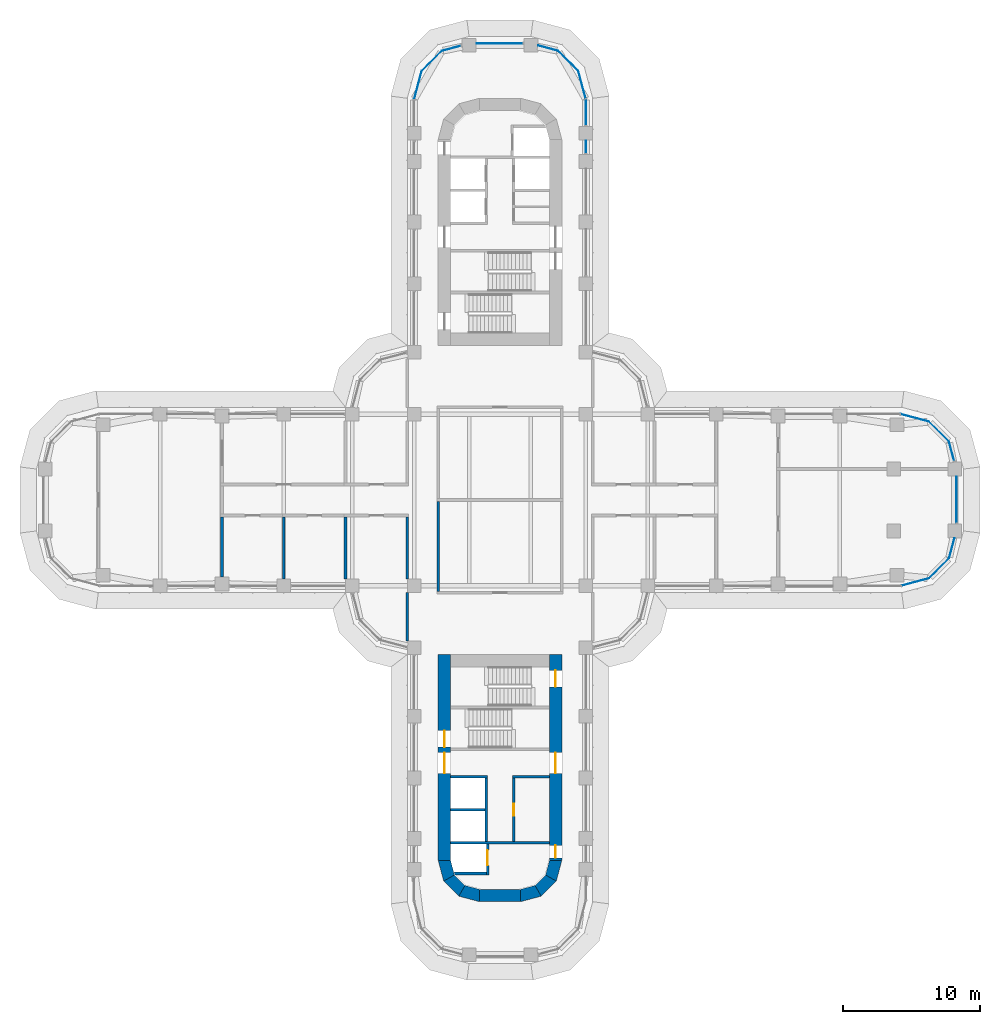
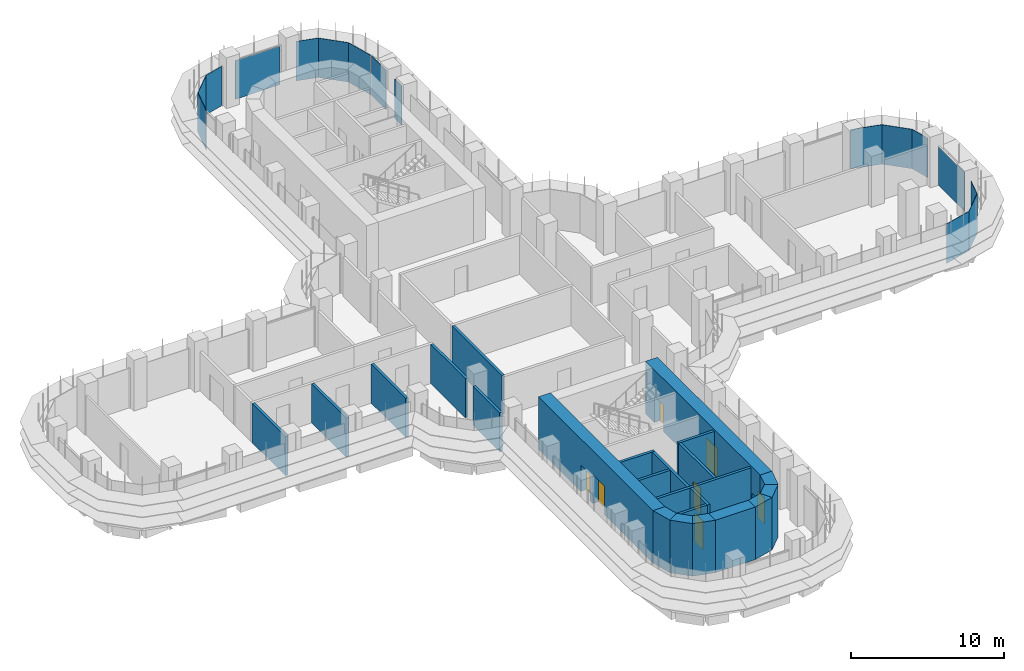
# One storey, part 16 of 23: 23 walls, 16 plates, 7 doors, 7 openings, 15 elements without a shape of their own.
"""IFC4 building model written with IfcOpenShell, lengths in metres."""

from ifc_helpers import new_model, si_unit, direction, frame, frame_2d, origin, place, context, subcontext, project, spatial, polyline, rectangle, outline, extrude, source, transform, mapped, material, layer, layer_set, type_object, element, fill, aggregate, save


model = new_model("IFC4")

# Units and contexts
model_context = context("Model", 3, precision=1e-05, world=origin(), true_north=direction((0.0, 1.0)))
body_context = subcontext(model_context, "Body", "Model", "MODEL_VIEW")
ifc_project = project(units=[si_unit("LENGTHUNIT", "METRE"), si_unit("AREAUNIT", "SQUARE_METRE"), si_unit("VOLUMEUNIT", "CUBIC_METRE"), si_unit("PLANEANGLEUNIT", "RADIAN"), si_unit("MASSUNIT", "GRAM", prefix="KILO")], contexts=[model_context])

# Site, building, storey
site_placement = place(None, origin())
site = spatial("IfcSite", under=ifc_project, at=site_placement, CompositionType="ELEMENT")
building_placement = place(site_placement, origin())
building = spatial("IfcBuilding", under=site, at=building_placement, Name="Zarbagh Exchange Tower", CompositionType="ELEMENT")
storey_placement = place(building_placement, frame((0.0, 0.0, 48.0)))
storey = spatial("IfcBuildingStorey", under=building, at=storey_placement, Name="L10", CompositionType="ELEMENT", Elevation=48.0)

# Curtain wall, plate
ifc_material_1 = material(Name="Anodised aluminium frame and glazing", Category="aluminium")
curtain_wall_type = type_object("IfcCurtainWallType", Name="CWA Ribbon glazing, lower zones", PredefinedType="NOTDEFINED", material=ifc_material_1)
curtain_wall_1_placement = place(storey_placement, origin())
curtain_wall_1 = element("IfcCurtainWall", 1, at=curtain_wall_1_placement, inside=storey, type_object=curtain_wall_type, Name="CWA13 curtain wall", PredefinedType="NOTDEFINED")
ifc_material_2 = material(Name="Low-e double glazed unit, 6+12+6 mm")
ifc_layer_1 = layer(ifc_material_2, 0.028076171875)
ifc_layer_set_1 = layer_set([ifc_layer_1], Name="PAA Glazing panel, Low-e double glazed unit, 6+12+6 mm")
plate_type = type_object("IfcPlateType", Name="PAA Glazing panel, Low-e double glazed unit, 6+12+6 mm", PredefinedType="CURTAIN_PANEL", material=ifc_layer_set_1)
shared_shape_1 = source(origin(), body_context, "Body", "SweptSolid", [
    extrude(outline(polyline([(0.0, -0.013916015625), (1.4423828125, -0.013916015625), (1.4423828125, 0.013916015625), (0.0, 0.013916015625), (0.0, -0.013916015625)])), origin(), (0.0, 0.0, 1.0), 3.14990234375),
])
placement = place(storey_placement, origin())
plate_1 = element("IfcPlate", 2, at=placement, type_object=plate_type, Name="CWA13 glazing panel 1.1", PredefinedType="CURTAIN_PANEL", context=body_context, shape_type="MappedRepresentation", body=[
    mapped(shared_shape_1, transform((33.072021484375, 2.847900390625, 0.0), x_axis=(-0.258824779902, 0.965924289636, 0.0), y_axis=(-0.965924289636, -0.258824779902, 0.0), z_axis=(0.0, 0.0, 1.0))),
])
aggregate(curtain_wall_1, [plate_1])

curtain_wall_2_placement = place(storey_placement, origin())
curtain_wall_2 = element("IfcCurtainWall", 3, at=curtain_wall_2_placement, inside=storey, type_object=curtain_wall_type, Name="CWA25 curtain wall", PredefinedType="NOTDEFINED")
plate_2 = element("IfcPlate", 4, at=placement, type_object=plate_type, Name="CWA25 glazing panel 1.1", PredefinedType="CURTAIN_PANEL", context=body_context, shape_type="MappedRepresentation", body=[
    mapped(shared_shape_1, transform((-2.847900390625, 33.072021484375, 0.0), x_axis=(-0.965924289636, -0.258824779902, 0.0), y_axis=(0.258824779902, -0.965924289636, 0.0), z_axis=(0.0, 0.0, 1.0))),
])
aggregate(curtain_wall_2, [plate_2])

curtain_wall_3_placement = place(storey_placement, origin())
curtain_wall_3 = element("IfcCurtainWall", 5, at=curtain_wall_3_placement, inside=storey, type_object=curtain_wall_type, Name="CWA10 curtain wall", PredefinedType="NOTDEFINED")
shared_shape_2 = source(origin(), body_context, "Body", "SweptSolid", [
    extrude(outline(polyline([(0.0, -0.013916015625), (2.061279296875, -0.013916015625), (2.061279296875, 0.013916015625), (0.0, 0.013916015625), (0.0, -0.013916015625)])), origin(), (0.0, 0.0, 1.0), 3.14990234375),
])
plate_3 = element("IfcPlate", 6, at=placement, type_object=plate_type, Name="CWA10 glazing panel 1.1", PredefinedType="CURTAIN_PANEL", context=body_context, shape_type="MappedRepresentation", body=[
    mapped(shared_shape_2, transform((31.2412109375, -5.69873046875, 0.0), x_axis=(0.707106781187, 0.707106781187, 0.0), y_axis=(-0.707106781187, 0.707106781187, 0.0), z_axis=(0.0, 0.0, 1.0))),
])
aggregate(curtain_wall_3, [plate_3])

curtain_wall_4_placement = place(storey_placement, origin())
curtain_wall_4 = element("IfcCurtainWall", 7, at=curtain_wall_4_placement, inside=storey, type_object=curtain_wall_type, Name="CWA14 curtain wall", PredefinedType="NOTDEFINED")
plate_4 = element("IfcPlate", 8, at=placement, type_object=plate_type, Name="CWA14 glazing panel 1.1", PredefinedType="CURTAIN_PANEL", context=body_context, shape_type="MappedRepresentation", body=[
    mapped(shared_shape_2, transform((32.69873046875, 4.2412109375, 0.0), x_axis=(-0.707106781187, 0.707106781187, 0.0), y_axis=(-0.707106781187, -0.707106781187, 0.0), z_axis=(0.0, 0.0, 1.0))),
])
aggregate(curtain_wall_4, [plate_4])

curtain_wall_5_placement = place(storey_placement, origin())
curtain_wall_5 = element("IfcCurtainWall", 9, at=curtain_wall_5_placement, inside=storey, type_object=curtain_wall_type, Name="CWA22 curtain wall", PredefinedType="NOTDEFINED")
plate_5 = element("IfcPlate", 10, at=placement, type_object=plate_type, Name="CWA22 glazing panel 1.1", PredefinedType="CURTAIN_PANEL", context=body_context, shape_type="MappedRepresentation", body=[
    mapped(shared_shape_2, transform((5.69873046875, 31.2412109375, 0.0), x_axis=(-0.707106781187, 0.707106781187, 0.0), y_axis=(-0.707106781187, -0.707106781187, 0.0), z_axis=(0.0, 0.0, 1.0))),
])
aggregate(curtain_wall_5, [plate_5])

curtain_wall_6_placement = place(storey_placement, origin())
curtain_wall_6 = element("IfcCurtainWall", 11, at=curtain_wall_6_placement, inside=storey, type_object=curtain_wall_type, Name="CWA26 curtain wall", PredefinedType="NOTDEFINED")
plate_6 = element("IfcPlate", 12, at=placement, type_object=plate_type, Name="CWA26 glazing panel 1.1", PredefinedType="CURTAIN_PANEL", context=body_context, shape_type="MappedRepresentation", body=[
    mapped(shared_shape_2, transform((-4.2412109375, 32.69873046875, 0.0), x_axis=(-0.707106781187, -0.707106781187, 0.0), y_axis=(0.707106781187, -0.707106781187, 0.0), z_axis=(0.0, 0.0, 1.0))),
])
aggregate(curtain_wall_6, [plate_6])

curtain_wall_7_placement = place(storey_placement, origin())
curtain_wall_7 = element("IfcCurtainWall", 13, at=curtain_wall_7_placement, inside=storey, type_object=curtain_wall_type, Name="CWA15 curtain wall", PredefinedType="NOTDEFINED")
shared_shape_3 = source(origin(), body_context, "Body", "SweptSolid", [
    extrude(outline(polyline([(0.0, -0.013916015625), (2.129638671875, -0.013916015625), (2.129638671875, 0.013916015625), (0.0, 0.013916015625), (0.0, -0.013916015625)])), origin(), (0.0, 0.0, 1.0), 3.14990234375),
])
plate_7 = element("IfcPlate", 14, at=placement, type_object=plate_type, Name="CWA15 glazing panel 1.1", PredefinedType="CURTAIN_PANEL", context=body_context, shape_type="MappedRepresentation", body=[
    mapped(shared_shape_3, transform((31.2412109375, 5.69873046875, 0.0), x_axis=(-0.965924289636, 0.258824779902, 0.0), y_axis=(-0.258824779902, -0.965924289636, 0.0), z_axis=(0.0, 0.0, 1.0))),
])
aggregate(curtain_wall_7, [plate_7])

curtain_wall_8_placement = place(storey_placement, origin())
curtain_wall_8 = element("IfcCurtainWall", 15, at=curtain_wall_8_placement, inside=storey, type_object=curtain_wall_type, Name="CWA27 curtain wall", PredefinedType="NOTDEFINED")
plate_8 = element("IfcPlate", 16, at=placement, type_object=plate_type, Name="CWA27 glazing panel 1.1", PredefinedType="CURTAIN_PANEL", context=body_context, shape_type="MappedRepresentation", body=[
    mapped(shared_shape_3, transform((-5.69873046875, 31.2412109375, 0.0), x_axis=(-0.258824779902, -0.965924289636, 0.0), y_axis=(0.965924289636, -0.258824779902, 0.0), z_axis=(0.0, 0.0, 1.0))),
])
aggregate(curtain_wall_8, [plate_8])

curtain_wall_9_placement = place(storey_placement, origin())
curtain_wall_9 = element("IfcCurtainWall", 17, at=curtain_wall_9_placement, inside=storey, type_object=curtain_wall_type, Name="CWA09 curtain wall", PredefinedType="NOTDEFINED")
shared_shape_4 = source(origin(), body_context, "Body", "SweptSolid", [
    extrude(outline(polyline([(0.0, -0.013916015625), (2.069580078125, -0.013916015625), (2.069580078125, 0.013916015625), (0.0, 0.013916015625), (0.0, -0.013916015625)])), origin(), (0.0, 0.0, 1.0), 3.14990234375),
])
plate_9 = element("IfcPlate", 18, at=placement, type_object=plate_type, Name="CWA09 glazing panel 1.1", PredefinedType="CURTAIN_PANEL", context=body_context, shape_type="MappedRepresentation", body=[
    mapped(shared_shape_4, transform((29.2421875, -6.234375, 0.0), x_axis=(0.965924289636, 0.258824779902, 0.0), y_axis=(-0.258824779902, 0.965924289636, 0.0), z_axis=(0.0, 0.0, 1.0))),
])
aggregate(curtain_wall_9, [plate_9])

curtain_wall_10_placement = place(storey_placement, origin())
curtain_wall_10 = element("IfcCurtainWall", 19, at=curtain_wall_10_placement, inside=storey, type_object=curtain_wall_type, Name="CWA21 curtain wall", PredefinedType="NOTDEFINED")
plate_10 = element("IfcPlate", 20, at=placement, type_object=plate_type, Name="CWA21 glazing panel 1.1", PredefinedType="CURTAIN_PANEL", context=body_context, shape_type="MappedRepresentation", body=[
    mapped(shared_shape_4, transform((6.234375, 29.2421875, 0.0), x_axis=(-0.258824779902, 0.965924289636, 0.0), y_axis=(-0.965924289636, -0.258824779902, 0.0), z_axis=(0.0, 0.0, 1.0))),
])
aggregate(curtain_wall_10, [plate_10])

curtain_wall_11_placement = place(storey_placement, origin())
curtain_wall_11 = element("IfcCurtainWall", 21, at=curtain_wall_11_placement, inside=storey, type_object=curtain_wall_type, Name="CWA11 curtain wall", PredefinedType="NOTDEFINED")
shared_shape_5 = source(origin(), body_context, "Body", "SweptSolid", [
    extrude(outline(polyline([(0.0, -0.013916015625), (1.50244140625, -0.013916015625), (1.50244140625, 0.013916015625), (0.0, 0.013916015625), (0.0, -0.013916015625)])), origin(), (0.0, 0.0, 1.0), 3.14990234375),
])
plate_11 = element("IfcPlate", 22, at=placement, type_object=plate_type, Name="CWA11 glazing panel 1.1", PredefinedType="CURTAIN_PANEL", context=body_context, shape_type="MappedRepresentation", body=[
    mapped(shared_shape_5, transform((32.69873046875, -4.2412109375, 0.0), x_axis=(0.258824779902, 0.965924289636, 0.0), y_axis=(-0.965924289636, 0.258824779902, 0.0), z_axis=(0.0, 0.0, 1.0))),
])
aggregate(curtain_wall_11, [plate_11])

curtain_wall_12_placement = place(storey_placement, origin())
curtain_wall_12 = element("IfcCurtainWall", 23, at=curtain_wall_12_placement, inside=storey, type_object=curtain_wall_type, Name="CWA23 curtain wall", PredefinedType="NOTDEFINED")
plate_12 = element("IfcPlate", 24, at=placement, type_object=plate_type, Name="CWA23 glazing panel 1.1", PredefinedType="CURTAIN_PANEL", context=body_context, shape_type="MappedRepresentation", body=[
    mapped(shared_shape_5, transform((4.2412109375, 32.69873046875, 0.0), x_axis=(-0.965924289636, 0.258824779902, 0.0), y_axis=(-0.258824779902, -0.965924289636, 0.0), z_axis=(0.0, 0.0, 1.0))),
])
aggregate(curtain_wall_12, [plate_12])

curtain_wall_13_placement = place(storey_placement, origin())
curtain_wall_13 = element("IfcCurtainWall", 25, at=curtain_wall_13_placement, inside=storey, type_object=curtain_wall_type, Name="CWA12 curtain wall", PredefinedType="NOTDEFINED")
shared_shape_6 = source(origin(), body_context, "Body", "SweptSolid", [
    extrude(outline(polyline([(0.0, -0.013916015625), (3.360107421875, -0.013916015625), (3.360107421875, 0.013916015625), (0.0, 0.013916015625), (0.0, -0.013916015625)])), origin(), (0.0, 0.0, 1.0), 3.090087890625),
])
plate_13 = element("IfcPlate", 26, at=placement, type_object=plate_type, Name="CWA12 glazing panel 1.1", PredefinedType="CURTAIN_PANEL", context=body_context, shape_type="MappedRepresentation", body=[
    mapped(shared_shape_6, transform((33.25, -1.64990234375, 0.0), x_axis=(0.0, 1.0, 0.0), y_axis=(-1.0, 0.0, 0.0), z_axis=(0.0, 0.0, 1.0))),
])
aggregate(curtain_wall_13, [plate_13])

curtain_wall_14_placement = place(storey_placement, origin())
curtain_wall_14 = element("IfcCurtainWall", 27, at=curtain_wall_14_placement, inside=storey, type_object=curtain_wall_type, Name="CWA24 curtain wall", PredefinedType="NOTDEFINED")
plate_14 = element("IfcPlate", 28, at=placement, type_object=plate_type, Name="CWA24 glazing panel 1.1", PredefinedType="CURTAIN_PANEL", context=body_context, shape_type="MappedRepresentation", body=[
    mapped(shared_shape_6, transform((1.64990234375, 33.25, 0.0), x_axis=(-1.0, 0.0, 0.0), y_axis=(0.0, -1.0, 0.0), z_axis=(0.0, 0.0, 1.0))),
])
aggregate(curtain_wall_14, [plate_14])

# Curtain wall, plates
curtain_wall_15_placement = place(storey_placement, origin())
curtain_wall_15 = element("IfcCurtainWall", 29, at=curtain_wall_15_placement, inside=storey, type_object=curtain_wall_type, Name="CWA20 curtain wall", PredefinedType="NOTDEFINED")
shared_shape_7 = source(origin(), body_context, "Body", "SweptSolid", [
    extrude(outline(polyline([(0.0, -0.013916015625), (0.909912109375, -0.013916015625), (0.909912109375, 0.013916015625), (0.0, 0.013916015625), (0.0, -0.013916015625)])), origin(), (0.0, 0.0, 1.0), 3.14990234375),
])
plate_15 = element("IfcPlate", 30, at=placement, type_object=plate_type, Name="CWA20 glazing panel 4.1", PredefinedType="CURTAIN_PANEL", context=body_context, shape_type="MappedRepresentation", body=[
    mapped(shared_shape_7, transform((6.25, 25.25, 0.0), x_axis=(0.0, 1.0, 0.0), y_axis=(-1.0, 0.0, 0.0), z_axis=(0.0, 0.0, 1.0))),
])
shared_shape_8 = source(origin(), body_context, "Body", "SweptSolid", [
    extrude(outline(polyline([(0.0, -0.013916015625), (1.884033203125, -0.013916015625), (1.884033203125, 0.013916015625), (0.0, 0.013916015625), (0.0, -0.013916015625)])), origin(), (0.0, 0.0, 1.0), 3.14990234375),
])
plate_16 = element("IfcPlate", 31, at=placement, type_object=plate_type, Name="CWA20 glazing panel 5.1", PredefinedType="CURTAIN_PANEL", context=body_context, shape_type="MappedRepresentation", body=[
    mapped(shared_shape_8, transform((6.25, 27.300048828125, 0.0), x_axis=(0.0, 1.0, 0.0), y_axis=(-1.0, 0.0, 0.0), z_axis=(0.0, 0.0, 1.0))),
])
aggregate(curtain_wall_15, [plate_15, plate_16])

# Walls
ifc_material_3 = material(Name="Fire-rated plasterboard partition")
ifc_layer_2 = layer(ifc_material_3, 0.199951171875)
ifc_layer_set_2 = layer_set([ifc_layer_2], Name="RATED PARTITION 200")
wall_type_1 = type_object("IfcWallType", Name="RATED PARTITION 200", PredefinedType="PARTITIONING", material=ifc_layer_set_2)
wall_1_placement = place(storey_placement, frame((-4.5, -6.64990234375, 0.0), z_axis=(0.0, 0.0, 1.0), x_axis=(0.0, 1.0, 0.0)))
element("IfcWall", 32, at=wall_1_placement, inside=storey, type_object=wall_type_1, Name="Partition W-302", PredefinedType="PARTITIONING", context=body_context, shape_type="SweptSolid", body=[
    extrude(rectangle(XDim=6.5498046875, YDim=0.199951171875, at=frame_2d((3.27490234375, 0.0))), origin(), (0.0, 0.0, 1.0), 3.130615234375),
])
wall_2_placement = place(storey_placement, frame((-6.75, -10.25, 0.0), z_axis=(0.0, 0.0, 1.0), x_axis=(0.0, 1.0, 0.0)))
element("IfcWall", 33, at=wall_2_placement, inside=storey, type_object=wall_type_1, Name="Partition W-305", PredefinedType="PARTITIONING", context=body_context, shape_type="SweptSolid", body=[
    extrude(rectangle(XDim=3.5, YDim=0.199951171875, at=frame_2d((1.75, 0.0))), origin(), (0.0, 0.0, 1.0), 3.130615234375),
])
for number, where, z_axis, x_axis, name in (
    (34, (-6.75, -5.75, 0.0), (0.0, 0.0, 1.0), (0.0, 1.0, 0.0), "Partition W-306"),
    (35, (-11.25, -5.75, 0.0), (0.0, 0.0, 1.0), (0.0, 1.0, 0.0), "Partition W-335"),
    (36, (-15.75, -5.75, 0.0), (0.0, 0.0, 1.0), (0.0, 1.0, 0.0), "Partition W-337"),
):
    element("IfcWall", number, at=place(storey_placement, frame(where, z_axis=z_axis, x_axis=x_axis)), inside=storey, type_object=wall_type_1, Name=name, PredefinedType="PARTITIONING", context=body_context, shape_type="SweptSolid", body=[
        extrude(rectangle(XDim=4.52490234375, YDim=0.199951171875, at=frame_2d((2.262451171875, 0.0))), origin(), (0.0, 0.0, 1.0), 3.130615234375),
    ])
wall_3_placement = place(storey_placement, frame((-20.25, -5.610107421875, 0.0), z_axis=(0.0, 0.0, 1.0), x_axis=(0.0, 1.0, 0.0)))
element("IfcWall", 37, at=wall_3_placement, inside=storey, type_object=wall_type_1, Name="Partition W-338", PredefinedType="PARTITIONING", context=body_context, shape_type="SweptSolid", body=[
    extrude(rectangle(XDim=4.385009765625, YDim=0.199951171875, at=frame_2d((2.1923828125, 0.0))), origin(), (0.0, 0.0, 1.0), 3.130615234375),
])
ifc_material_4 = material(Name="Concrete C60/75", Category="concrete")
ifc_layer_3 = layer(ifc_material_4, 0.89990234375)
ifc_layer_set_3 = layer_set([ifc_layer_3], Name="RC core corner wall 900 C60/75")
wall_type_2 = type_object("IfcWallType", Name="RC core corner wall 900 C60/75", PredefinedType="SHEAR", material=ifc_layer_set_3)
wall_4_placement = place(storey_placement, origin())
element("IfcWall", 38, at=wall_4_placement, inside=storey, type_object=wall_type_2, Name="CW2 core S corner W", PredefinedType="SHEAR", context=body_context, shape_type="SweptSolid", body=[
    extrude(outline(polyline([(-4.5, -26.25), (-4.09814453125, -27.75), (-3.318603515625, -27.300048828125), (-3.60009765625, -26.25), (-4.5, -26.25)])), origin(), (0.0, 0.0, 1.0), 4.199951171875),
])
wall_5_placement = place(storey_placement, origin())
element("IfcWall", 39, at=wall_5_placement, inside=storey, type_object=wall_type_2, Name="CW2 core S corner W", PredefinedType="SHEAR", context=body_context, shape_type="SweptSolid", body=[
    extrude(outline(polyline([(-4.09814453125, -27.75), (-3.0, -28.84814453125), (-2.550048828125, -28.068603515625), (-3.318603515625, -27.300048828125), (-4.09814453125, -27.75)])), origin(), (0.0, 0.0, 1.0), 4.199951171875),
])
wall_6_placement = place(storey_placement, origin())
element("IfcWall", 40, at=wall_6_placement, inside=storey, type_object=wall_type_2, Name="CW2 core S corner W", PredefinedType="SHEAR", context=body_context, shape_type="SweptSolid", body=[
    extrude(outline(polyline([(-3.0, -28.84814453125), (-1.5, -29.25), (-1.5, -28.35009765625), (-2.550048828125, -28.068603515625), (-3.0, -28.84814453125)])), origin(), (0.0, 0.0, 1.0), 4.199951171875),
])
wall_7_placement = place(storey_placement, origin())
element("IfcWall", 41, at=wall_7_placement, inside=storey, type_object=wall_type_2, Name="CW2 core S corner E", PredefinedType="SHEAR", context=body_context, shape_type="SweptSolid", body=[
    extrude(outline(polyline([(4.5, -26.25), (4.09814453125, -27.75), (3.318603515625, -27.300048828125), (3.60009765625, -26.25), (4.5, -26.25)])), origin(), (0.0, 0.0, 1.0), 4.199951171875),
])
wall_8_placement = place(storey_placement, origin())
element("IfcWall", 42, at=wall_8_placement, inside=storey, type_object=wall_type_2, Name="CW2 core S corner E", PredefinedType="SHEAR", context=body_context, shape_type="SweptSolid", body=[
    extrude(outline(polyline([(4.09814453125, -27.75), (3.0, -28.84814453125), (2.550048828125, -28.068603515625), (3.318603515625, -27.300048828125), (4.09814453125, -27.75)])), origin(), (0.0, 0.0, 1.0), 4.199951171875),
])
wall_9_placement = place(storey_placement, origin())
element("IfcWall", 43, at=wall_9_placement, inside=storey, type_object=wall_type_2, Name="CW2 core S corner E", PredefinedType="SHEAR", context=body_context, shape_type="SweptSolid", body=[
    extrude(outline(polyline([(3.0, -28.84814453125), (1.5, -29.25), (1.5, -28.35009765625), (2.550048828125, -28.068603515625), (3.0, -28.84814453125)])), origin(), (0.0, 0.0, 1.0), 4.199951171875),
])

# Wall, openings, doors
ifc_layer_4 = layer(ifc_material_4, 0.89990234375)
ifc_layer_set_4 = layer_set([ifc_layer_4], Name="RC core wall 900 C60/75")
wall_type_3 = type_object("IfcWallType", Name="RC core wall 900 C60/75", PredefinedType="SHEAR", material=ifc_layer_set_4)
wall_10_placement = place(storey_placement, frame((-4.050048828125, -11.25, 0.0), z_axis=(0.0, 0.0, 1.0), x_axis=(0.0, -1.0, 0.0)))
wall_10 = element("IfcWall", 44, at=wall_10_placement, inside=storey, type_object=wall_type_3, Name="CW1 core S W", PredefinedType="SHEAR", context=body_context, shape_type="SweptSolid", body=[
    extrude(rectangle(XDim=15.0, YDim=0.89990234375, at=frame_2d((7.5, 0.0))), origin(), (0.0, 0.0, 1.0), 4.199951171875),
])
opening_1_placement = place(wall_10_placement, frame((7.14990234375, 0.0, 0.0)))
opening_1 = element("IfcOpeningElement", 45, at=opening_1_placement, cuts=wall_10, Name="Opening CD1-1500", PredefinedType="OPENING", context=body_context, shape_type="SweptSolid", body=[
    extrude(rectangle(XDim=1.5, YDim=2.300048828125, at=frame_2d((0.75, 1.14990234375))), frame((0.0, 0.4599609375, 0.0), z_axis=(0.0, -1.0, 0.0), x_axis=(1.0, 0.0, 0.0)), (0.0, 0.0, 1.0), 0.919921875),
])
opening_2_placement = place(wall_10_placement, frame((5.550048828125, 0.0, 0.0)))
opening_2 = element("IfcOpeningElement", 46, at=opening_2_placement, cuts=wall_10, Name="Opening SD1-1200", PredefinedType="OPENING", context=body_context, shape_type="SweptSolid", body=[
    extrude(rectangle(XDim=1.199951171875, YDim=2.10009765625, at=frame_2d((0.60009765625, 1.050048828125))), frame((0.0, 0.4599609375, 0.0), z_axis=(0.0, -1.0, 0.0), x_axis=(1.0, 0.0, 0.0)), (0.0, 0.0, 1.0), 0.919921875),
])
ifc_material_5 = material(Name="Steel", Category="steel")
door_type_1 = type_object("IfcDoorType", Name="Exit stair door 1200 x 2100", OperationType="NOTDEFINED", PredefinedType="DOOR", material=ifc_material_5)
door_1_placement = place(opening_2_placement, origin())
door_1 = element("IfcDoor", 47, at=door_1_placement, inside=storey, type_object=door_type_1, Name="South core stair door ST1", OperationType="SINGLE_SWING_LEFT", OverallHeight=2.10009765625, OverallWidth=1.199951171875, PredefinedType="DOOR", context=body_context, shape_type="SweptSolid", body=[
    extrude(rectangle(XDim=1.199951171875, YDim=2.10009765625, at=frame_2d((0.60009765625, 1.050048828125))), frame((0.0, 0.02490234375, 0.0), z_axis=(0.0, -1.0, 0.0), x_axis=(1.0, 0.0, 0.0)), (0.0, 0.0, 1.0), 0.050048828125),
])
fill(opening_2, door_1)
door_type_2 = type_object("IfcDoorType", Name="Lift lobby double door 1500 x 2300", OperationType="NOTDEFINED", PredefinedType="DOOR", material=ifc_material_5)
door_2_placement = place(opening_1_placement, origin())
door_2 = element("IfcDoor", 48, at=door_2_placement, inside=storey, type_object=door_type_2, Name="South core lift lobby door LOBBY-E", OperationType="DOUBLE_DOOR_SINGLE_SWING", OverallHeight=2.300048828125, OverallWidth=1.5, PredefinedType="DOOR", context=body_context, shape_type="SweptSolid", body=[
    extrude(rectangle(XDim=1.5, YDim=2.300048828125, at=frame_2d((0.75, 1.14990234375))), frame((0.0, 0.02490234375, 0.0), z_axis=(0.0, -1.0, 0.0), x_axis=(1.0, 0.0, 0.0)), (0.0, 0.0, 1.0), 0.050048828125),
])
fill(opening_1, door_2)

wall_11_placement = place(storey_placement, frame((4.050048828125, -11.25, 0.0), z_axis=(0.0, 0.0, 1.0), x_axis=(0.0, -1.0, 0.0)))
wall_11 = element("IfcWall", 49, at=wall_11_placement, inside=storey, type_object=wall_type_3, Name="CW1 core S E", PredefinedType="SHEAR", context=body_context, shape_type="SweptSolid", body=[
    extrude(rectangle(XDim=15.0, YDim=0.89990234375, at=frame_2d((7.5, 0.0))), origin(), (0.0, 0.0, 1.0), 4.199951171875),
])
opening_3_placement = place(wall_11_placement, frame((7.14990234375, 0.0, 0.0)))
opening_3 = element("IfcOpeningElement", 50, at=opening_3_placement, cuts=wall_11, Name="Opening CD1-1500", PredefinedType="OPENING", context=body_context, shape_type="SweptSolid", body=[
    extrude(rectangle(XDim=1.5, YDim=2.300048828125, at=frame_2d((0.75, 1.14990234375))), frame((0.0, 0.4599609375, 0.0), z_axis=(0.0, -1.0, 0.0), x_axis=(1.0, 0.0, 0.0)), (0.0, 0.0, 1.0), 0.919921875),
])
opening_4_placement = place(wall_11_placement, frame((13.89990234375, 0.0, 0.0)))
opening_4 = element("IfcOpeningElement", 51, at=opening_4_placement, cuts=wall_11, Name="Opening CD2-900", PredefinedType="OPENING", context=body_context, shape_type="SweptSolid", body=[
    extrude(rectangle(XDim=0.89990234375, YDim=2.10009765625, at=frame_2d((0.449951171875, 1.050048828125))), frame((0.0, 0.4599609375, 0.0), z_axis=(0.0, -1.0, 0.0), x_axis=(1.0, 0.0, 0.0)), (0.0, 0.0, 1.0), 0.919921875),
])
opening_5_placement = place(wall_11_placement, frame((1.14990234375, 0.0, 0.0)))
opening_5 = element("IfcOpeningElement", 52, at=opening_5_placement, cuts=wall_11, Name="Opening SD1-1200", PredefinedType="OPENING", context=body_context, shape_type="SweptSolid", body=[
    extrude(rectangle(XDim=1.199951171875, YDim=2.10009765625, at=frame_2d((0.60009765625, 1.050048828125))), frame((0.0, 0.4599609375, 0.0), z_axis=(0.0, -1.0, 0.0), x_axis=(1.0, 0.0, 0.0)), (0.0, 0.0, 1.0), 0.919921875),
])
door_3_placement = place(opening_5_placement, origin())
door_3 = element("IfcDoor", 53, at=door_3_placement, inside=storey, type_object=door_type_1, Name="South core stair door ST2", OperationType="SINGLE_SWING_LEFT", OverallHeight=2.10009765625, OverallWidth=1.199951171875, PredefinedType="DOOR", context=body_context, shape_type="SweptSolid", body=[
    extrude(rectangle(XDim=1.199951171875, YDim=2.10009765625, at=frame_2d((0.60009765625, 1.050048828125))), frame((0.0, 0.02490234375, 0.0), z_axis=(0.0, -1.0, 0.0), x_axis=(1.0, 0.0, 0.0)), (0.0, 0.0, 1.0), 0.050048828125),
])
fill(opening_5, door_3)
door_type_3 = type_object("IfcDoorType", Name="Firefighting lobby door 900 x 2100", OperationType="NOTDEFINED", PredefinedType="DOOR", material=ifc_material_5)
door_4_placement = place(opening_4_placement, origin())
door_4 = element("IfcDoor", 54, at=door_4_placement, inside=storey, type_object=door_type_3, Name="South core firefighting lobby door FF-W", OperationType="SINGLE_SWING_LEFT", OverallHeight=2.10009765625, OverallWidth=0.89990234375, PredefinedType="DOOR", context=body_context, shape_type="SweptSolid", body=[
    extrude(rectangle(XDim=0.89990234375, YDim=2.10009765625, at=frame_2d((0.449951171875, 1.050048828125))), frame((0.0, 0.02490234375, 0.0), z_axis=(0.0, -1.0, 0.0), x_axis=(1.0, 0.0, 0.0)), (0.0, 0.0, 1.0), 0.050048828125),
])
fill(opening_4, door_4)
door_5_placement = place(opening_3_placement, origin())
door_5 = element("IfcDoor", 55, at=door_5_placement, inside=storey, type_object=door_type_2, Name="South core lift lobby door LOBBY-W", OperationType="DOUBLE_DOOR_SINGLE_SWING", OverallHeight=2.300048828125, OverallWidth=1.5, PredefinedType="DOOR", context=body_context, shape_type="SweptSolid", body=[
    extrude(rectangle(XDim=1.5, YDim=2.300048828125, at=frame_2d((0.75, 1.14990234375))), frame((0.0, 0.02490234375, 0.0), z_axis=(0.0, -1.0, 0.0), x_axis=(1.0, 0.0, 0.0)), (0.0, 0.0, 1.0), 0.050048828125),
])
fill(opening_3, door_5)

# Walls
wall_12_placement = place(storey_placement, frame((-1.5, -28.800048828125, 0.0), z_axis=(0.0, 0.0, 1.0), x_axis=(1.0, 0.0, 0.0)))
element("IfcWall", 56, at=wall_12_placement, inside=storey, type_object=wall_type_3, Name="CW1 core S outer end", PredefinedType="SHEAR", context=body_context, shape_type="SweptSolid", body=[
    extrude(rectangle(XDim=3.0, YDim=0.89990234375, at=frame_2d((1.5, 0.0))), origin(), (0.0, 0.0, 1.0), 4.199951171875),
])
ifc_material_6 = material(Name="Dense blockwork", Category="masonry")
ifc_layer_5 = layer(ifc_material_6, 0.199951171875)
ifc_layer_set_5 = layer_set([ifc_layer_5], Name="Shaft wall 200 mm blockwork")
wall_type_4 = type_object("IfcWallType", Name="Shaft wall 200 mm blockwork", PredefinedType="PARTITIONING", material=ifc_layer_set_5)
wall_13_placement = place(storey_placement, frame((3.60009765625, -20.14990234375, 0.0), z_axis=(0.0, 0.0, 1.0), x_axis=(-1.0, 0.0, 0.0)))
element("IfcWall", 57, at=wall_13_placement, inside=storey, type_object=wall_type_4, Name="South core shaft wall AB-W", PredefinedType="PARTITIONING", context=body_context, shape_type="SweptSolid", body=[
    extrude(rectangle(XDim=2.7001953125, YDim=0.199951171875, at=frame_2d((1.35009765625, 0.0))), origin(), (0.0, 0.0, 1.0), 4.050048828125),
])

# Wall, opening, door
wall_14_placement = place(storey_placement, frame((1.0, -24.85009765625, 0.0), z_axis=(0.0, 0.0, 1.0), x_axis=(0.0, 1.0, 0.0)))
wall_14 = element("IfcWall", 58, at=wall_14_placement, inside=storey, type_object=wall_type_4, Name="South core shaft wall LW-W", PredefinedType="PARTITIONING", context=body_context, shape_type="SweptSolid", body=[
    extrude(rectangle(XDim=4.60009765625, YDim=0.199951171875, at=frame_2d((2.300048828125, 0.0))), origin(), (0.0, 0.0, 1.0), 4.050048828125),
])
opening_6_placement = place(wall_14_placement, frame((1.85009765625, 0.0, 0.0)))
opening_6 = element("IfcOpeningElement", 59, at=opening_6_placement, cuts=wall_14, Name="Opening CD3-900", PredefinedType="OPENING", context=body_context, shape_type="SweptSolid", body=[
    extrude(rectangle(XDim=0.89990234375, YDim=2.10009765625, at=frame_2d((0.449951171875, 1.050048828125))), frame((0.0, 0.10986328125, 0.0), z_axis=(0.0, -1.0, 0.0), x_axis=(1.0, 0.0, 0.0)), (0.0, 0.0, 1.0), 0.219970703125),
])
door_type_4 = type_object("IfcDoorType", Name="Core room door 900 x 2100", OperationType="NOTDEFINED", PredefinedType="DOOR", material=ifc_material_5)
door_6_placement = place(opening_6_placement, origin())
door_6 = element("IfcDoor", 60, at=door_6_placement, inside=storey, type_object=door_type_4, Name="South core Accessible WC door RD-W-0", OperationType="SINGLE_SWING_LEFT", OverallHeight=2.10009765625, OverallWidth=0.89990234375, PredefinedType="DOOR", context=body_context, shape_type="SweptSolid", body=[
    extrude(rectangle(XDim=0.89990234375, YDim=2.10009765625, at=frame_2d((0.449951171875, 1.050048828125))), frame((0.0, 0.02490234375, 0.0), z_axis=(0.0, -1.0, 0.0), x_axis=(1.0, 0.0, 0.0)), (0.0, 0.0, 1.0), 0.050048828125),
])
fill(opening_6, door_6)

# Walls
wall_15_placement = place(storey_placement, frame((-0.89990234375, -20.14990234375, 0.0), z_axis=(0.0, 0.0, 1.0), x_axis=(-1.0, 0.0, 0.0)))
element("IfcWall", 61, at=wall_15_placement, inside=storey, type_object=wall_type_4, Name="South core shaft wall AB-E", PredefinedType="PARTITIONING", context=body_context, shape_type="SweptSolid", body=[
    extrude(rectangle(XDim=2.7001953125, YDim=0.199951171875, at=frame_2d((1.35009765625, 0.0))), origin(), (0.0, 0.0, 1.0), 4.050048828125),
])
wall_16_placement = place(storey_placement, frame((-1.0, -24.85009765625, 0.0), z_axis=(0.0, 0.0, 1.0), x_axis=(0.0, 1.0, 0.0)))
element("IfcWall", 62, at=wall_16_placement, inside=storey, type_object=wall_type_4, Name="South core shaft wall LW-E", PredefinedType="PARTITIONING", context=body_context, shape_type="SweptSolid", body=[
    extrude(rectangle(XDim=4.60009765625, YDim=0.199951171875, at=frame_2d((2.300048828125, 0.0))), origin(), (0.0, 0.0, 1.0), 4.050048828125),
])
wall_17_placement = place(storey_placement, frame((-1.10009765625, -22.550048828125, 0.0), z_axis=(0.0, 0.0, 1.0), x_axis=(-1.0, 0.0, 0.0)))
element("IfcWall", 63, at=wall_17_placement, inside=storey, type_object=wall_type_4, Name="South core shaft wall TR-E", PredefinedType="PARTITIONING", context=body_context, shape_type="SweptSolid", body=[
    extrude(rectangle(XDim=2.5, YDim=0.199951171875, at=frame_2d((1.25, 0.0))), origin(), (0.0, 0.0, 1.0), 4.050048828125),
])
ifc_material_7 = material(Name="Concrete C40/50", Category="concrete")
ifc_layer_6 = layer(ifc_material_7, 0.199951171875)
ifc_layer_set_6 = layer_set([ifc_layer_6], Name="Stair enclosure wall 200 mm RC C40/50")
wall_type_5 = type_object("IfcWallType", Name="Stair enclosure wall 200 mm RC C40/50", PredefinedType="SHEAR", material=ifc_layer_set_6)
wall_18_placement = place(storey_placement, frame((3.60009765625, -24.949951171875, 0.0), z_axis=(0.0, 0.0, 1.0), x_axis=(-1.0, 0.0, 0.0)))
element("IfcWall", 64, at=wall_18_placement, inside=storey, type_object=wall_type_5, Name="South core lift shaft wall FFA", PredefinedType="SHEAR", context=body_context, shape_type="SweptSolid", body=[
    extrude(rectangle(XDim=7.2001953125, YDim=0.199951171875, at=frame_2d((3.60009765625, 0.0))), origin(), (0.0, 0.0, 1.0), 4.050048828125),
])

# Wall, opening, door
wall_19_placement = place(storey_placement, frame((-0.89990234375, -27.300048828125, 0.0), z_axis=(0.0, 0.0, 1.0), x_axis=(0.0, 1.0, 0.0)))
wall_19 = element("IfcWall", 65, at=wall_19_placement, inside=storey, type_object=wall_type_5, Name="South core lift shaft wall FFL", PredefinedType="SHEAR", context=body_context, shape_type="SweptSolid", body=[
    extrude(rectangle(XDim=2.25, YDim=0.199951171875, at=frame_2d((1.125, 0.0))), origin(), (0.0, 0.0, 1.0), 4.050048828125),
])
opening_7_placement = place(wall_19_placement, frame((0.699951171875, 0.0, 0.0)))
opening_7 = element("IfcOpeningElement", 66, at=opening_7_placement, cuts=wall_19, Name="Opening LD-1100", PredefinedType="OPENING", context=body_context, shape_type="SweptSolid", body=[
    extrude(rectangle(XDim=1.10009765625, YDim=2.300048828125, at=frame_2d((0.550048828125, 1.14990234375))), frame((0.0, 0.10986328125, 0.0), z_axis=(0.0, -1.0, 0.0), x_axis=(1.0, 0.0, 0.0)), (0.0, 0.0, 1.0), 0.219970703125),
])
ifc_material_8 = material(Name="Stainless steel", Category="steel")
door_type_5 = type_object("IfcDoorType", Name="Lift landing door 1100 x 2300", OperationType="NOTDEFINED", PredefinedType="DOOR", material=ifc_material_8)
door_7_placement = place(opening_7_placement, origin())
door_7 = element("IfcDoor", 67, at=door_7_placement, inside=storey, type_object=door_type_5, Name="South core lift landing door LD-F", OperationType="DOUBLE_DOOR_SLIDING", OverallHeight=2.300048828125, OverallWidth=1.10009765625, PredefinedType="DOOR", context=body_context, shape_type="SweptSolid", body=[
    extrude(rectangle(XDim=1.10009765625, YDim=2.300048828125, at=frame_2d((0.550048828125, 1.14990234375))), frame((0.0, 0.02490234375, 0.0), z_axis=(0.0, -1.0, 0.0), x_axis=(1.0, 0.0, 0.0)), (0.0, 0.0, 1.0), 0.050048828125),
])
fill(opening_7, door_7)

# Wall
wall_20_placement = place(storey_placement, origin())
element("IfcWall", 68, at=wall_20_placement, inside=storey, type_object=wall_type_5, Name="South core lift shaft wall FFX", PredefinedType="SHEAR", context=body_context, shape_type="SweptSolid", body=[
    extrude(outline(polyline([(-1.0, -27.10009765625), (-3.340576171875, -27.10009765625), (-3.291259765625, -27.2841796875), (-3.275390625, -27.300048828125), (-1.0, -27.300048828125), (-1.0, -27.10009765625)])), origin(), (0.0, 0.0, 1.0), 4.050048828125),
])

save(model, "model.ifc")
